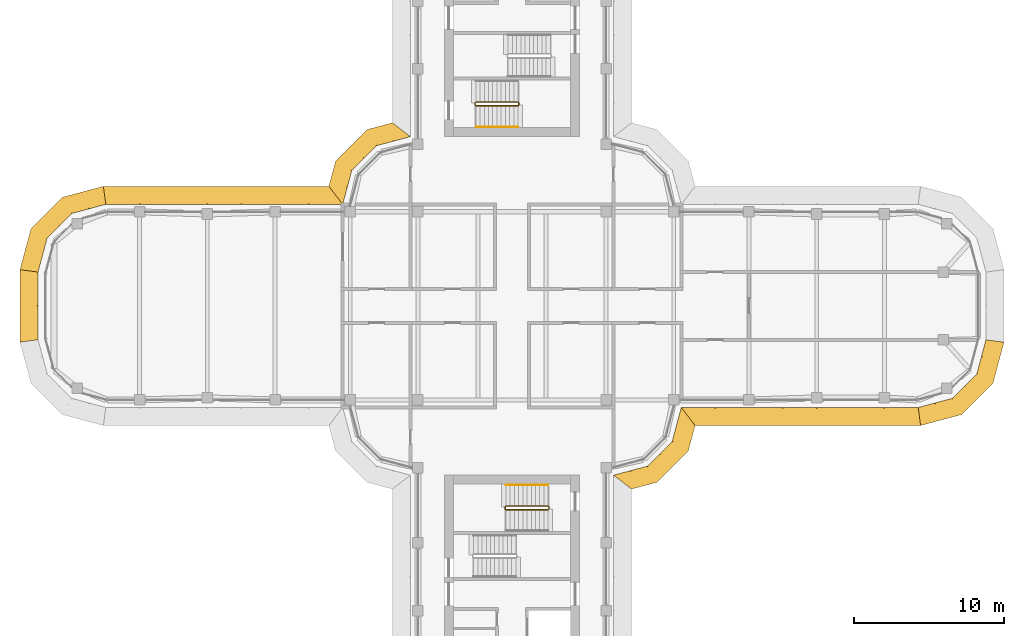
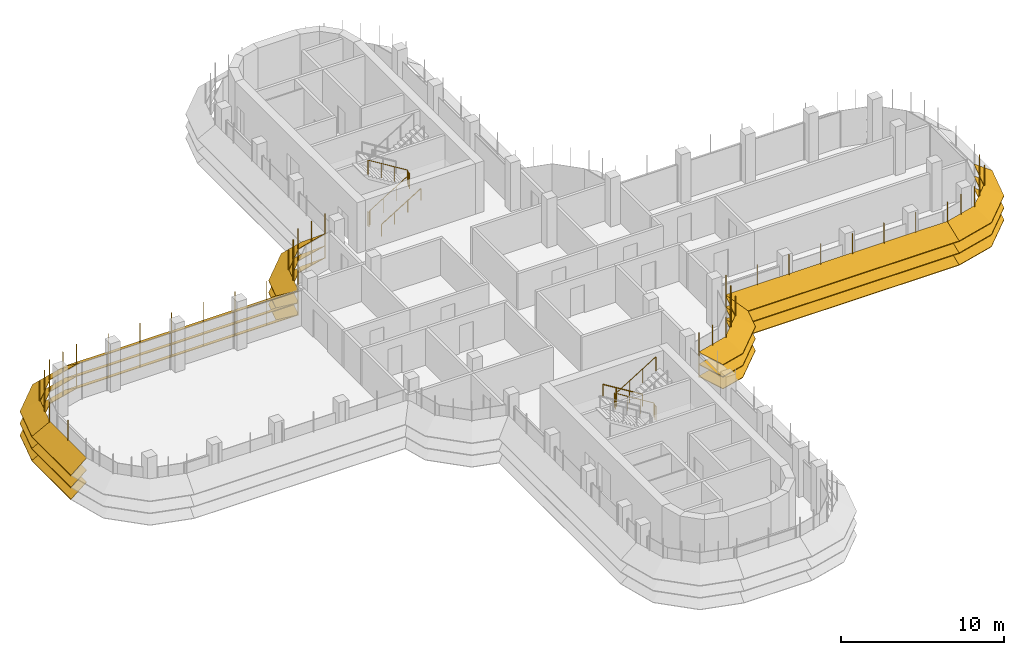
# One storey, part 17 of 19: 7 shading devices, 4 railings.
"""IFC4 building model written with IfcOpenShell, lengths in metres."""

from ifc_helpers import new_model, si_unit, direction, frame, origin, origin_2d, place, context, subcontext, project, spatial, polyline, circle, outline, extrude, faceted_brep, source, transform, mapped, material, type_object, element, save


model = new_model("IFC4")

# Units and contexts
model_context = context("Model", 3, precision=1e-05, world=origin(), true_north=direction((0.0, 1.0)))
body_context = subcontext(model_context, "Body", "Model", "MODEL_VIEW")
ifc_project = project(units=[si_unit("LENGTHUNIT", "METRE"), si_unit("AREAUNIT", "SQUARE_METRE"), si_unit("VOLUMEUNIT", "CUBIC_METRE"), si_unit("PLANEANGLEUNIT", "RADIAN"), si_unit("MASSUNIT", "GRAM", prefix="KILO")], contexts=[model_context])

# Site, building, storey
site_placement = place(None, origin())
site = spatial("IfcSite", under=ifc_project, at=site_placement, CompositionType="ELEMENT")
building_placement = place(site_placement, origin())
building = spatial("IfcBuilding", under=site, at=building_placement, Name="Zarbagh Exchange Tower", CompositionType="ELEMENT")
storey_placement = place(building_placement, frame((0.0, 0.0, 241.0)))
storey = spatial("IfcBuildingStorey", under=building, at=storey_placement, Name="L59", CompositionType="ELEMENT", Elevation=241.0)

# Railings
ifc_material_1 = material(Name="Stainless steel", Category="steel")
railing_type_1 = type_object("IfcRailingType", Name="Stair guard 1100 mm", PredefinedType="GUARDRAIL", material=ifc_material_1)
railing_1_placement = place(storey_placement, frame((-2.449951171875, 13.5, 0.0)))
element("IfcRailing", 1, at=railing_1_placement, inside=storey, type_object=railing_type_1, Name="ST2 stair guard 1", PredefinedType="GUARDRAIL", context=body_context, shape_type="SweptSolid", body=[
    extrude(circle(Radius=0.02392578125, at=origin_2d()), frame((0.0, 0.0, 1.076171875), z_axis=(0.0, -1.0, 0.0), x_axis=(1.0, 0.0, 0.0)), (0.0, 0.0, 1.0), 0.14990234375),
    extrude(circle(Radius=0.02392578125, at=origin_2d()), frame((0.0, -0.14990234375, 1.076171875), z_axis=(0.268277960024, -0.268277960024, 0.925231793839), x_axis=(0.707106781187, 0.707106781187, 0.0)), (0.0, 0.0, 1.0), 0.1865234375),
    extrude(circle(Radius=0.02392578125, at=origin_2d()), frame((0.050048828125, -0.199951171875, 1.24853515625), z_axis=(0.851069175582, 0.0, 0.525053576669), x_axis=(0.0, 1.0, 0.0)), (0.0, 0.0, 1.0), 3.289794921875),
    extrude(circle(Radius=0.02392578125, at=origin_2d()), frame((2.849853515625, -0.199951171875, 2.97607421875), z_axis=(0.707106781187, 0.707106781187, 0.0), x_axis=(-0.707106781187, 0.707106781187, 0.0)), (0.0, 0.0, 1.0), 0.07080078125),
    extrude(circle(Radius=0.02392578125, at=origin_2d()), frame((2.89990234375, -0.14990234375, 2.97607421875), z_axis=(0.0, 1.0, 0.0), x_axis=(-1.0, 0.0, 0.0)), (0.0, 0.0, 1.0), 0.14990234375),
    extrude(circle(Radius=0.02392578125, at=origin_2d()), frame((2.89990234375, 0.0, 2.97607421875), z_axis=(-0.267953482034, 0.267953482034, 0.925419830635), x_axis=(-0.707106781187, -0.707106781187, 0.0)), (0.0, 0.0, 1.0), 0.186767578125),
    extrude(circle(Radius=0.02392578125, at=origin_2d()), frame((2.849853515625, 0.050048828125, 3.14892578125), z_axis=(-0.851069175582, 0.0, 0.525053576669), x_axis=(0.0, -1.0, 0.0)), (0.0, 0.0, 1.0), 3.289794921875),
    extrude(circle(Radius=0.02099609375, at=origin_2d()), origin(), (0.0, 0.0, 1.0), 1.052001953125),
    extrude(circle(Radius=0.02099609375, at=origin_2d()), frame((0.0, -0.14990234375, 0.0)), (0.0, 0.0, 1.0), 1.052001953125),
    extrude(circle(Radius=0.02099609375, at=origin_2d()), frame((0.050048828125, -0.199951171875, 0.172607421875)), (0.0, 0.0, 1.0), 1.052001953125),
    extrude(circle(Radius=0.02099609375, at=origin_2d()), frame((0.9833984375, -0.199951171875, 0.748291015625)), (0.0, 0.0, 1.0), 1.052001953125),
    extrude(circle(Radius=0.02099609375, at=origin_2d()), frame((1.91650390625, -0.199951171875, 1.32421875)), (0.0, 0.0, 1.0), 1.052001953125),
    extrude(circle(Radius=0.02099609375, at=origin_2d()), frame((2.849853515625, -0.199951171875, 1.89990234375)), (0.0, 0.0, 1.0), 1.052001953125),
    extrude(circle(Radius=0.02099609375, at=origin_2d()), frame((2.89990234375, -0.14990234375, 1.89990234375)), (0.0, 0.0, 1.0), 1.052001953125),
    extrude(circle(Radius=0.02099609375, at=origin_2d()), frame((2.89990234375, 0.0, 1.89990234375)), (0.0, 0.0, 1.0), 1.052001953125),
    extrude(circle(Radius=0.02099609375, at=origin_2d()), frame((2.849853515625, 0.050048828125, 2.07275390625)), (0.0, 0.0, 1.0), 1.052001953125),
    extrude(circle(Radius=0.02099609375, at=origin_2d()), frame((1.91650390625, 0.050048828125, 2.6484375)), (0.0, 0.0, 1.0), 1.052001953125),
    extrude(circle(Radius=0.02099609375, at=origin_2d()), frame((0.9833984375, 0.050048828125, 3.224365234375)), (0.0, 0.0, 1.0), 1.052001953125),
    extrude(circle(Radius=0.02099609375, at=origin_2d()), frame((0.050048828125, 0.050048828125, 3.800048828125)), (0.0, 0.0, 1.0), 1.052001953125),
])
railing_2_placement = place(storey_placement, frame((2.449951171875, -13.5, 0.0)))
element("IfcRailing", 2, at=railing_2_placement, inside=storey, type_object=railing_type_1, Name="ST4 stair guard 1", PredefinedType="GUARDRAIL", context=body_context, shape_type="SweptSolid", body=[
    extrude(circle(Radius=0.02392578125, at=origin_2d()), frame((0.0, 0.0, 1.076171875), z_axis=(0.0, 1.0, 0.0), x_axis=(-1.0, 0.0, 0.0)), (0.0, 0.0, 1.0), 0.14990234375),
    extrude(circle(Radius=0.02392578125, at=origin_2d()), frame((0.0, 0.14990234375, 1.076171875), z_axis=(-0.268277960024, 0.268277960024, 0.925231793839), x_axis=(-0.707106781187, -0.707106781187, 0.0)), (0.0, 0.0, 1.0), 0.1865234375),
    extrude(circle(Radius=0.02392578125, at=origin_2d()), frame((-0.050048828125, 0.199951171875, 1.24853515625), z_axis=(-0.851069175582, 0.0, 0.525053576669), x_axis=(0.0, -1.0, 0.0)), (0.0, 0.0, 1.0), 3.289794921875),
    extrude(circle(Radius=0.02392578125, at=origin_2d()), frame((-2.849853515625, 0.199951171875, 2.97607421875), z_axis=(-0.707106781187, -0.707106781187, 0.0), x_axis=(0.707106781187, -0.707106781187, 0.0)), (0.0, 0.0, 1.0), 0.07080078125),
    extrude(circle(Radius=0.02392578125, at=origin_2d()), frame((-2.89990234375, 0.14990234375, 2.97607421875), z_axis=(0.0, -1.0, 0.0), x_axis=(1.0, 0.0, 0.0)), (0.0, 0.0, 1.0), 0.14990234375),
    extrude(circle(Radius=0.02392578125, at=origin_2d()), frame((-2.89990234375, 0.0, 2.97607421875), z_axis=(0.267953482034, -0.267953482034, 0.925419830635), x_axis=(0.707106781187, 0.707106781187, 0.0)), (0.0, 0.0, 1.0), 0.186767578125),
    extrude(circle(Radius=0.02392578125, at=origin_2d()), frame((-2.849853515625, -0.050048828125, 3.14892578125), z_axis=(0.851069175582, 0.0, 0.525053576669), x_axis=(0.0, 1.0, 0.0)), (0.0, 0.0, 1.0), 3.289794921875),
    extrude(circle(Radius=0.02099609375, at=origin_2d()), origin(), (0.0, 0.0, 1.0), 1.052001953125),
    extrude(circle(Radius=0.02099609375, at=origin_2d()), frame((0.0, 0.14990234375, 0.0)), (0.0, 0.0, 1.0), 1.052001953125),
    extrude(circle(Radius=0.02099609375, at=origin_2d()), frame((-0.050048828125, 0.199951171875, 0.172607421875)), (0.0, 0.0, 1.0), 1.052001953125),
    extrude(circle(Radius=0.02099609375, at=origin_2d()), frame((-0.9833984375, 0.199951171875, 0.748291015625)), (0.0, 0.0, 1.0), 1.052001953125),
    extrude(circle(Radius=0.02099609375, at=origin_2d()), frame((-1.91650390625, 0.199951171875, 1.32421875)), (0.0, 0.0, 1.0), 1.052001953125),
    extrude(circle(Radius=0.02099609375, at=origin_2d()), frame((-2.849853515625, 0.199951171875, 1.89990234375)), (0.0, 0.0, 1.0), 1.052001953125),
    extrude(circle(Radius=0.02099609375, at=origin_2d()), frame((-2.89990234375, 0.14990234375, 1.89990234375)), (0.0, 0.0, 1.0), 1.052001953125),
    extrude(circle(Radius=0.02099609375, at=origin_2d()), frame((-2.89990234375, 0.0, 1.89990234375)), (0.0, 0.0, 1.0), 1.052001953125),
    extrude(circle(Radius=0.02099609375, at=origin_2d()), frame((-2.849853515625, -0.050048828125, 2.07275390625)), (0.0, 0.0, 1.0), 1.052001953125),
    extrude(circle(Radius=0.02099609375, at=origin_2d()), frame((-1.91650390625, -0.050048828125, 2.6484375)), (0.0, 0.0, 1.0), 1.052001953125),
    extrude(circle(Radius=0.02099609375, at=origin_2d()), frame((-0.9833984375, -0.050048828125, 3.224365234375)), (0.0, 0.0, 1.0), 1.052001953125),
    extrude(circle(Radius=0.02099609375, at=origin_2d()), frame((-0.050048828125, -0.050048828125, 3.800048828125)), (0.0, 0.0, 1.0), 1.052001953125),
])
railing_type_2 = type_object("IfcRailingType", Name="Stair handrail 900 mm", PredefinedType="HANDRAIL", material=ifc_material_1)
railing_3_placement = place(storey_placement, frame((-2.39990234375, 11.89990234375, 0.172607421875)))
element("IfcRailing", 3, at=railing_3_placement, inside=storey, type_object=railing_type_2, Name="ST2 stair handrail 1", PredefinedType="HANDRAIL", context=body_context, shape_type="SweptSolid", body=[
    extrude(circle(Radius=0.02392578125, at=origin_2d()), frame((0.0, 0.0, 0.8759765625), z_axis=(0.851069175582, 0.0, 0.525053576669), x_axis=(0.0, 1.0, 0.0)), (0.0, 0.0, 1.0), 3.289794921875),
    extrude(circle(Radius=0.02099609375, at=origin_2d()), origin(), (0.0, 0.0, 1.0), 0.851806640625),
    extrude(circle(Radius=0.02099609375, at=origin_2d()), frame((0.933349609375, 0.0, 0.57568359375)), (0.0, 0.0, 1.0), 0.851806640625),
    extrude(circle(Radius=0.02099609375, at=origin_2d()), frame((1.866455078125, 0.0, 1.151611328125)), (0.0, 0.0, 1.0), 0.851806640625),
    extrude(circle(Radius=0.02099609375, at=origin_2d()), frame((2.7998046875, 0.0, 1.727294921875)), (0.0, 0.0, 1.0), 0.851806640625),
])
railing_4_placement = place(storey_placement, frame((2.39990234375, -11.89990234375, 0.172607421875)))
element("IfcRailing", 4, at=railing_4_placement, inside=storey, type_object=railing_type_2, Name="ST4 stair handrail 1", PredefinedType="HANDRAIL", context=body_context, shape_type="SweptSolid", body=[
    extrude(circle(Radius=0.02392578125, at=origin_2d()), frame((0.0, 0.0, 0.8759765625), z_axis=(-0.851069175582, 0.0, 0.525053576669), x_axis=(0.0, -1.0, 0.0)), (0.0, 0.0, 1.0), 3.289794921875),
    extrude(circle(Radius=0.02099609375, at=origin_2d()), origin(), (0.0, 0.0, 1.0), 0.851806640625),
    extrude(circle(Radius=0.02099609375, at=origin_2d()), frame((-0.933349609375, 0.0, 0.57568359375)), (0.0, 0.0, 1.0), 0.851806640625),
    extrude(circle(Radius=0.02099609375, at=origin_2d()), frame((-1.866455078125, 0.0, 1.151611328125)), (0.0, 0.0, 1.0), 0.851806640625),
    extrude(circle(Radius=0.02099609375, at=origin_2d()), frame((-2.7998046875, 0.0, 1.727294921875)), (0.0, 0.0, 1.0), 0.851806640625),
])

# Shading devices
ifc_material_2 = material(Name="Anodised aluminium blades and brackets", Category="aluminium")
shading_device_type = type_object("IfcShadingDeviceType", Name="SUNSHADE louvre band, 33.75 degree blades", PredefinedType="JALOUSIE", material=ifc_material_2)
shared_shape_1 = source(origin(), body_context, "Body", "Brep", [
    faceted_brep([(0.0, 0.0, 0.0), (0.0, 0.0, -0.048095703125), (-0.157958984375, -1.199951171875, -0.849853515625), (-0.157958984375, -1.199951171875, -0.8017578125), (2.65087890625, -1.199951171875, -0.8017578125), (2.65087890625, -1.199951171875, -0.849853515625), (2.329345703125, 0.0, -0.048095703125), (2.329345703125, 0.0, 0.0)], [[[0, 1, 2, 3]], [[4, 5, 6, 7]], [[0, 7, 6, 1]], [[1, 6, 5, 2]], [[2, 5, 4, 3]], [[3, 4, 7, 0]]]),
])
shared_shape_2 = source(origin(), body_context, "Body", "Brep", [
    faceted_brep([(0.0, 0.0, 0.0), (0.0, 0.0, -0.048095703125), (-0.321533203125, -1.199951171875, -0.849853515625), (-0.321533203125, -1.199951171875, -0.8017578125), (2.65087890625, -1.199951171875, -0.8017578125), (2.65087890625, -1.199951171875, -0.849853515625), (2.329345703125, 0.0, -0.048095703125), (2.329345703125, 0.0, 0.0)], [[[0, 1, 2, 3]], [[4, 5, 6, 7]], [[0, 7, 6, 1]], [[1, 6, 5, 2]], [[2, 5, 4, 3]], [[3, 4, 7, 0]]]),
])
shared_shape_3 = source(origin(), body_context, "Body", "Brep", [
    faceted_brep([(0.0, 0.0, 0.0), (0.0, 0.0, -0.048095703125), (-0.321533203125, -1.199951171875, -0.849853515625), (-0.321533203125, -1.199951171875, -0.8017578125), (2.4873046875, -1.199951171875, -0.8017578125), (2.4873046875, -1.199951171875, -0.849853515625), (2.329345703125, 0.0, -0.048095703125), (2.329345703125, 0.0, 0.0)], [[[0, 1, 2, 3]], [[4, 5, 6, 7]], [[0, 7, 6, 1]], [[1, 6, 5, 2]], [[2, 5, 4, 3]], [[3, 4, 7, 0]]]),
])
shared_shape_4 = source(origin(), body_context, "Body", "SweptSolid", [
    extrude(outline(polyline([(0.0, -0.012451171875), (0.06005859375, -0.012451171875), (0.06005859375, 0.012451171875), (0.0, 0.012451171875), (0.0, -0.012451171875)])), origin(), (0.0, 0.0, 1.0), 3.358154296875),
])
placement = place(storey_placement, origin())
element("IfcShadingDevice", 5, at=placement, inside=storey, type_object=shading_device_type, Name="SS31 sunshade band", PredefinedType="JALOUSIE", context=body_context, shape_type="MappedRepresentation", body=[
    mapped(shared_shape_1, transform((27.0, -6.75, 2.300048828125), x_axis=(0.965924289636, 0.258824779902, 0.0), y_axis=(-0.258824779902, 0.965924289636, 0.0), z_axis=(0.0, 0.0, 1.0))),
    mapped(shared_shape_1, transform((27.0, -6.75, 1.39990234375), x_axis=(0.965924289636, 0.258824779902, 0.0), y_axis=(-0.258824779902, 0.965924289636, 0.0), z_axis=(0.0, 0.0, 1.0))),
    mapped(shared_shape_1, transform((27.0, -6.75, 0.5), x_axis=(0.965924289636, 0.258824779902, 0.0), y_axis=(-0.258824779902, 0.965924289636, 0.0), z_axis=(0.0, 0.0, 1.0))),
    mapped(shared_shape_2, transform((29.25, -6.147216796875, 2.300048828125), x_axis=(0.707106781187, 0.707106781187, 0.0), y_axis=(-0.707106781187, 0.707106781187, 0.0), z_axis=(0.0, 0.0, 1.0))),
    mapped(shared_shape_2, transform((29.25, -6.147216796875, 1.39990234375), x_axis=(0.707106781187, 0.707106781187, 0.0), y_axis=(-0.707106781187, 0.707106781187, 0.0), z_axis=(0.0, 0.0, 1.0))),
    mapped(shared_shape_2, transform((29.25, -6.147216796875, 0.5), x_axis=(0.707106781187, 0.707106781187, 0.0), y_axis=(-0.707106781187, 0.707106781187, 0.0), z_axis=(0.0, 0.0, 1.0))),
    mapped(shared_shape_3, transform((30.897216796875, -4.5, 2.300048828125), x_axis=(0.258824779902, 0.965924289636, 0.0), y_axis=(-0.965924289636, 0.258824779902, 0.0), z_axis=(0.0, 0.0, 1.0))),
    mapped(shared_shape_3, transform((30.897216796875, -4.5, 1.39990234375), x_axis=(0.258824779902, 0.965924289636, 0.0), y_axis=(-0.965924289636, 0.258824779902, 0.0), z_axis=(0.0, 0.0, 1.0))),
    mapped(shared_shape_3, transform((30.897216796875, -4.5, 0.5), x_axis=(0.258824779902, 0.965924289636, 0.0), y_axis=(-0.965924289636, 0.258824779902, 0.0), z_axis=(0.0, 0.0, 1.0))),
    mapped(shared_shape_4, transform((27.0, -6.75, 0.421875), x_axis=(0.130529263012, -0.991444457092, 0.0), y_axis=(0.991444457092, 0.130529263012, 0.0), z_axis=(0.0, 0.0, 1.0))),
    mapped(shared_shape_4, transform((28.125, -6.448486328125, 0.421875), x_axis=(0.258825058029, -0.96592421511, 0.0), y_axis=(0.96592421511, 0.258825058029, 0.0), z_axis=(0.0, 0.0, 1.0))),
    mapped(shared_shape_4, transform((29.25, -6.147216796875, 0.421875), x_axis=(0.50000275701, -0.866023812018, 0.0), y_axis=(0.866023812018, 0.50000275701, 0.0), z_axis=(0.0, 0.0, 1.0))),
    mapped(shared_shape_4, transform((30.073486328125, -5.323486328125, 0.421875), x_axis=(0.707106781187, -0.707106781187, 0.0), y_axis=(0.707106781187, 0.707106781187, 0.0), z_axis=(0.0, 0.0, 1.0))),
    mapped(shared_shape_4, transform((30.897216796875, -4.5, 0.421875), x_axis=(0.866023812018, -0.50000275701, 0.0), y_axis=(0.50000275701, 0.866023812018, 0.0), z_axis=(0.0, 0.0, 1.0))),
    mapped(shared_shape_4, transform((31.198486328125, -3.375, 0.421875), x_axis=(0.96592421511, -0.258825058029, 0.0), y_axis=(0.258825058029, 0.96592421511, 0.0), z_axis=(0.0, 0.0, 1.0))),
])
element("IfcShadingDevice", 6, at=placement, inside=storey, type_object=shading_device_type, Name="SS41 sunshade band", PredefinedType="JALOUSIE", context=body_context, shape_type="MappedRepresentation", body=[
    mapped(shared_shape_1, transform((-27.0, 6.75, 2.300048828125), x_axis=(-0.965924289636, -0.258824779902, 0.0), y_axis=(0.258824779902, -0.965924289636, 0.0), z_axis=(0.0, 0.0, 1.0))),
    mapped(shared_shape_1, transform((-27.0, 6.75, 1.39990234375), x_axis=(-0.965924289636, -0.258824779902, 0.0), y_axis=(0.258824779902, -0.965924289636, 0.0), z_axis=(0.0, 0.0, 1.0))),
    mapped(shared_shape_1, transform((-27.0, 6.75, 0.5), x_axis=(-0.965924289636, -0.258824779902, 0.0), y_axis=(0.258824779902, -0.965924289636, 0.0), z_axis=(0.0, 0.0, 1.0))),
    mapped(shared_shape_2, transform((-29.25, 6.147216796875, 2.300048828125), x_axis=(-0.707106781187, -0.707106781187, 0.0), y_axis=(0.707106781187, -0.707106781187, 0.0), z_axis=(0.0, 0.0, 1.0))),
    mapped(shared_shape_2, transform((-29.25, 6.147216796875, 1.39990234375), x_axis=(-0.707106781187, -0.707106781187, 0.0), y_axis=(0.707106781187, -0.707106781187, 0.0), z_axis=(0.0, 0.0, 1.0))),
    mapped(shared_shape_2, transform((-29.25, 6.147216796875, 0.5), x_axis=(-0.707106781187, -0.707106781187, 0.0), y_axis=(0.707106781187, -0.707106781187, 0.0), z_axis=(0.0, 0.0, 1.0))),
    mapped(shared_shape_3, transform((-30.897216796875, 4.5, 2.300048828125), x_axis=(-0.258824779902, -0.965924289636, 0.0), y_axis=(0.965924289636, -0.258824779902, 0.0), z_axis=(0.0, 0.0, 1.0))),
    mapped(shared_shape_3, transform((-30.897216796875, 4.5, 1.39990234375), x_axis=(-0.258824779902, -0.965924289636, 0.0), y_axis=(0.965924289636, -0.258824779902, 0.0), z_axis=(0.0, 0.0, 1.0))),
    mapped(shared_shape_3, transform((-30.897216796875, 4.5, 0.5), x_axis=(-0.258824779902, -0.965924289636, 0.0), y_axis=(0.965924289636, -0.258824779902, 0.0), z_axis=(0.0, 0.0, 1.0))),
    mapped(shared_shape_4, transform((-27.0, 6.75, 0.421875), x_axis=(-0.130529263012, 0.991444457092, 0.0), y_axis=(-0.991444457092, -0.130529263012, 0.0), z_axis=(0.0, 0.0, 1.0))),
    mapped(shared_shape_4, transform((-28.125, 6.448486328125, 0.421875), x_axis=(-0.258825058029, 0.96592421511, 0.0), y_axis=(-0.96592421511, -0.258825058029, 0.0), z_axis=(0.0, 0.0, 1.0))),
    mapped(shared_shape_4, transform((-29.25, 6.147216796875, 0.421875), x_axis=(-0.50000275701, 0.866023812018, 0.0), y_axis=(-0.866023812018, -0.50000275701, 0.0), z_axis=(0.0, 0.0, 1.0))),
    mapped(shared_shape_4, transform((-30.073486328125, 5.323486328125, 0.421875), x_axis=(-0.707106781187, 0.707106781187, 0.0), y_axis=(-0.707106781187, -0.707106781187, 0.0), z_axis=(0.0, 0.0, 1.0))),
    mapped(shared_shape_4, transform((-30.897216796875, 4.5, 0.421875), x_axis=(-0.866023812018, 0.50000275701, 0.0), y_axis=(-0.50000275701, -0.866023812018, 0.0), z_axis=(0.0, 0.0, 1.0))),
    mapped(shared_shape_4, transform((-31.198486328125, 3.375, 0.421875), x_axis=(-0.96592421511, 0.258825058029, 0.0), y_axis=(-0.258825058029, -0.96592421511, 0.0), z_axis=(0.0, 0.0, 1.0))),
])
shared_shape_5 = source(origin(), body_context, "Body", "Brep", [
    faceted_brep([(0.0, 0.0, 0.0), (0.0, 0.0, -0.048095703125), (0.9208984375, -1.199951171875, -0.849853515625), (0.9208984375, -1.199951171875, -0.8017578125), (2.65087890625, -1.199951171875, -0.8017578125), (2.65087890625, -1.199951171875, -0.849853515625), (2.329345703125, 0.0, -0.048095703125), (2.329345703125, 0.0, 0.0)], [[[0, 1, 2, 3]], [[4, 5, 6, 7]], [[0, 7, 6, 1]], [[1, 6, 5, 2]], [[2, 5, 4, 3]], [[3, 4, 7, 0]]]),
])
shared_shape_6 = source(origin(), body_context, "Body", "Brep", [
    faceted_brep([(0.0, 0.0, 0.0), (0.0, 0.0, -0.048095703125), (-0.321533203125, -1.199951171875, -0.849853515625), (-0.321533203125, -1.199951171875, -0.8017578125), (1.40869140625, -1.199951171875, -0.8017578125), (1.40869140625, -1.199951171875, -0.849853515625), (2.329345703125, 0.0, -0.048095703125), (2.329345703125, 0.0, 0.0)], [[[0, 1, 2, 3]], [[4, 5, 6, 7]], [[0, 7, 6, 1]], [[1, 6, 5, 2]], [[2, 5, 4, 3]], [[3, 4, 7, 0]]]),
])
element("IfcShadingDevice", 7, at=placement, inside=storey, type_object=shading_device_type, Name="SS03 sunshade band", PredefinedType="JALOUSIE", context=body_context, shape_type="MappedRepresentation", body=[
    mapped(shared_shape_5, transform((6.75, -11.25, 2.300048828125), x_axis=(0.965924289636, 0.258824779902, 0.0), y_axis=(-0.258824779902, 0.965924289636, 0.0), z_axis=(0.0, 0.0, 1.0))),
    mapped(shared_shape_5, transform((6.75, -11.25, 1.39990234375), x_axis=(0.965924289636, 0.258824779902, 0.0), y_axis=(-0.258824779902, 0.965924289636, 0.0), z_axis=(0.0, 0.0, 1.0))),
    mapped(shared_shape_5, transform((6.75, -11.25, 0.5), x_axis=(0.965924289636, 0.258824779902, 0.0), y_axis=(-0.258824779902, 0.965924289636, 0.0), z_axis=(0.0, 0.0, 1.0))),
    mapped(shared_shape_2, transform((9.0, -10.647216796875, 2.300048828125), x_axis=(0.707106781187, 0.707106781187, 0.0), y_axis=(-0.707106781187, 0.707106781187, 0.0), z_axis=(0.0, 0.0, 1.0))),
    mapped(shared_shape_2, transform((9.0, -10.647216796875, 1.39990234375), x_axis=(0.707106781187, 0.707106781187, 0.0), y_axis=(-0.707106781187, 0.707106781187, 0.0), z_axis=(0.0, 0.0, 1.0))),
    mapped(shared_shape_2, transform((9.0, -10.647216796875, 0.5), x_axis=(0.707106781187, 0.707106781187, 0.0), y_axis=(-0.707106781187, 0.707106781187, 0.0), z_axis=(0.0, 0.0, 1.0))),
    mapped(shared_shape_6, transform((10.647216796875, -9.0, 2.300048828125), x_axis=(0.258824779902, 0.965924289636, 0.0), y_axis=(-0.965924289636, 0.258824779902, 0.0), z_axis=(0.0, 0.0, 1.0))),
    mapped(shared_shape_6, transform((10.647216796875, -9.0, 1.39990234375), x_axis=(0.258824779902, 0.965924289636, 0.0), y_axis=(-0.965924289636, 0.258824779902, 0.0), z_axis=(0.0, 0.0, 1.0))),
    mapped(shared_shape_6, transform((10.647216796875, -9.0, 0.5), x_axis=(0.258824779902, 0.965924289636, 0.0), y_axis=(-0.965924289636, 0.258824779902, 0.0), z_axis=(0.0, 0.0, 1.0))),
    mapped(shared_shape_4, transform((6.75, -11.25, 0.421875), x_axis=(0.793355287, -0.608758892, 0.0), y_axis=(0.608758892, 0.793355287, 0.0), z_axis=(0.0, 0.0, 1.0))),
    mapped(shared_shape_4, transform((7.875, -10.948486328125, 0.421875), x_axis=(0.258825058029, -0.96592421511, 0.0), y_axis=(0.96592421511, 0.258825058029, 0.0), z_axis=(0.0, 0.0, 1.0))),
    mapped(shared_shape_4, transform((9.0, -10.647216796875, 0.421875), x_axis=(0.50000275701, -0.866023812018, 0.0), y_axis=(0.866023812018, 0.50000275701, 0.0), z_axis=(0.0, 0.0, 1.0))),
    mapped(shared_shape_4, transform((9.823486328125, -9.823486328125, 0.421875), x_axis=(0.707106781187, -0.707106781187, 0.0), y_axis=(0.707106781187, 0.707106781187, 0.0), z_axis=(0.0, 0.0, 1.0))),
    mapped(shared_shape_4, transform((10.647216796875, -9.0, 0.421875), x_axis=(0.866023812018, -0.50000275701, 0.0), y_axis=(0.50000275701, 0.866023812018, 0.0), z_axis=(0.0, 0.0, 1.0))),
    mapped(shared_shape_4, transform((10.948486328125, -7.875, 0.421875), x_axis=(0.96592421511, -0.258825058029, 0.0), y_axis=(0.258825058029, 0.96592421511, 0.0), z_axis=(0.0, 0.0, 1.0))),
])
element("IfcShadingDevice", 8, at=placement, inside=storey, type_object=shading_device_type, Name="SS15 sunshade band", PredefinedType="JALOUSIE", context=body_context, shape_type="MappedRepresentation", body=[
    mapped(shared_shape_5, transform((-6.75, 11.25, 2.300048828125), x_axis=(-0.965924289636, -0.258824779902, 0.0), y_axis=(0.258824779902, -0.965924289636, 0.0), z_axis=(0.0, 0.0, 1.0))),
    mapped(shared_shape_5, transform((-6.75, 11.25, 1.39990234375), x_axis=(-0.965924289636, -0.258824779902, 0.0), y_axis=(0.258824779902, -0.965924289636, 0.0), z_axis=(0.0, 0.0, 1.0))),
    mapped(shared_shape_5, transform((-6.75, 11.25, 0.5), x_axis=(-0.965924289636, -0.258824779902, 0.0), y_axis=(0.258824779902, -0.965924289636, 0.0), z_axis=(0.0, 0.0, 1.0))),
    mapped(shared_shape_2, transform((-9.0, 10.647216796875, 2.300048828125), x_axis=(-0.707106781187, -0.707106781187, 0.0), y_axis=(0.707106781187, -0.707106781187, 0.0), z_axis=(0.0, 0.0, 1.0))),
    mapped(shared_shape_2, transform((-9.0, 10.647216796875, 1.39990234375), x_axis=(-0.707106781187, -0.707106781187, 0.0), y_axis=(0.707106781187, -0.707106781187, 0.0), z_axis=(0.0, 0.0, 1.0))),
    mapped(shared_shape_2, transform((-9.0, 10.647216796875, 0.5), x_axis=(-0.707106781187, -0.707106781187, 0.0), y_axis=(0.707106781187, -0.707106781187, 0.0), z_axis=(0.0, 0.0, 1.0))),
    mapped(shared_shape_6, transform((-10.647216796875, 9.0, 2.300048828125), x_axis=(-0.258824779902, -0.965924289636, 0.0), y_axis=(0.965924289636, -0.258824779902, 0.0), z_axis=(0.0, 0.0, 1.0))),
    mapped(shared_shape_6, transform((-10.647216796875, 9.0, 1.39990234375), x_axis=(-0.258824779902, -0.965924289636, 0.0), y_axis=(0.965924289636, -0.258824779902, 0.0), z_axis=(0.0, 0.0, 1.0))),
    mapped(shared_shape_6, transform((-10.647216796875, 9.0, 0.5), x_axis=(-0.258824779902, -0.965924289636, 0.0), y_axis=(0.965924289636, -0.258824779902, 0.0), z_axis=(0.0, 0.0, 1.0))),
    mapped(shared_shape_4, transform((-6.75, 11.25, 0.421875), x_axis=(-0.793355287, 0.608758892, 0.0), y_axis=(-0.608758892, -0.793355287, 0.0), z_axis=(0.0, 0.0, 1.0))),
    mapped(shared_shape_4, transform((-7.875, 10.948486328125, 0.421875), x_axis=(-0.258825058029, 0.96592421511, 0.0), y_axis=(-0.96592421511, -0.258825058029, 0.0), z_axis=(0.0, 0.0, 1.0))),
    mapped(shared_shape_4, transform((-9.0, 10.647216796875, 0.421875), x_axis=(-0.50000275701, 0.866023812018, 0.0), y_axis=(-0.866023812018, -0.50000275701, 0.0), z_axis=(0.0, 0.0, 1.0))),
    mapped(shared_shape_4, transform((-9.823486328125, 9.823486328125, 0.421875), x_axis=(-0.707106781187, 0.707106781187, 0.0), y_axis=(-0.707106781187, -0.707106781187, 0.0), z_axis=(0.0, 0.0, 1.0))),
    mapped(shared_shape_4, transform((-10.647216796875, 9.0, 0.421875), x_axis=(-0.866023812018, 0.50000275701, 0.0), y_axis=(-0.50000275701, -0.866023812018, 0.0), z_axis=(0.0, 0.0, 1.0))),
    mapped(shared_shape_4, transform((-10.948486328125, 7.875, 0.421875), x_axis=(-0.96592421511, 0.258825058029, 0.0), y_axis=(-0.258825058029, -0.96592421511, 0.0), z_axis=(0.0, 0.0, 1.0))),
])
shared_shape_7 = source(origin(), body_context, "Body", "Brep", [
    faceted_brep([(0.0, 0.0, 0.0), (0.0, 0.0, -0.048095703125), (0.9208984375, -1.199951171875, -0.849853515625), (0.9208984375, -1.199951171875, -0.8017578125), (15.907958984375, -1.199951171875, -0.8017578125), (15.907958984375, -1.199951171875, -0.849853515625), (15.75, 0.0, -0.048095703125), (15.75, 0.0, 0.0)], [[[0, 1, 2, 3]], [[4, 5, 6, 7]], [[0, 7, 6, 1]], [[1, 6, 5, 2]], [[2, 5, 4, 3]], [[3, 4, 7, 0]]]),
])
element("IfcShadingDevice", 9, at=placement, inside=storey, type_object=shading_device_type, Name="SS30 sunshade band", PredefinedType="JALOUSIE", context=body_context, shape_type="MappedRepresentation", body=[
    mapped(shared_shape_7, transform((11.25, -6.75, 2.300048828125), x_axis=(1.0, 0.0, 0.0), y_axis=(0.0, 1.0, 0.0), z_axis=(0.0, 0.0, 1.0))),
    mapped(shared_shape_7, transform((11.25, -6.75, 1.39990234375), x_axis=(1.0, 0.0, 0.0), y_axis=(0.0, 1.0, 0.0), z_axis=(0.0, 0.0, 1.0))),
    mapped(shared_shape_7, transform((11.25, -6.75, 0.5), x_axis=(1.0, 0.0, 0.0), y_axis=(0.0, 1.0, 0.0), z_axis=(0.0, 0.0, 1.0))),
    mapped(shared_shape_4, transform((11.25, -6.75, 0.421875), x_axis=(0.608758892, -0.793355287, 0.0), y_axis=(0.793355287, 0.608758892, 0.0), z_axis=(0.0, 0.0, 1.0))),
    mapped(shared_shape_4, transform((13.5, -6.75, 0.421875), x_axis=(0.0, -1.0, 0.0), y_axis=(1.0, 0.0, 0.0), z_axis=(0.0, 0.0, 1.0))),
    mapped(shared_shape_4, transform((15.75, -6.75, 0.421875), x_axis=(0.0, -1.0, 0.0), y_axis=(1.0, 0.0, 0.0), z_axis=(0.0, 0.0, 1.0))),
    mapped(shared_shape_4, transform((18.0, -6.75, 0.421875), x_axis=(0.0, -1.0, 0.0), y_axis=(1.0, 0.0, 0.0), z_axis=(0.0, 0.0, 1.0))),
    mapped(shared_shape_4, transform((20.25, -6.75, 0.421875), x_axis=(0.0, -1.0, 0.0), y_axis=(1.0, 0.0, 0.0), z_axis=(0.0, 0.0, 1.0))),
    mapped(shared_shape_4, transform((22.5, -6.75, 0.421875), x_axis=(0.0, -1.0, 0.0), y_axis=(1.0, 0.0, 0.0), z_axis=(0.0, 0.0, 1.0))),
    mapped(shared_shape_4, transform((24.75, -6.75, 0.421875), x_axis=(0.0, -1.0, 0.0), y_axis=(1.0, 0.0, 0.0), z_axis=(0.0, 0.0, 1.0))),
])
element("IfcShadingDevice", 10, at=placement, inside=storey, type_object=shading_device_type, Name="SS40 sunshade band", PredefinedType="JALOUSIE", context=body_context, shape_type="MappedRepresentation", body=[
    mapped(shared_shape_7, transform((-11.25, 6.75, 2.300048828125), x_axis=(-1.0, 0.0, 0.0), y_axis=(0.0, -1.0, 0.0), z_axis=(0.0, 0.0, 1.0))),
    mapped(shared_shape_7, transform((-11.25, 6.75, 1.39990234375), x_axis=(-1.0, 0.0, 0.0), y_axis=(0.0, -1.0, 0.0), z_axis=(0.0, 0.0, 1.0))),
    mapped(shared_shape_7, transform((-11.25, 6.75, 0.5), x_axis=(-1.0, 0.0, 0.0), y_axis=(0.0, -1.0, 0.0), z_axis=(0.0, 0.0, 1.0))),
    mapped(shared_shape_4, transform((-11.25, 6.75, 0.421875), x_axis=(-0.608758892, 0.793355287, 0.0), y_axis=(-0.793355287, -0.608758892, 0.0), z_axis=(0.0, 0.0, 1.0))),
    mapped(shared_shape_4, transform((-13.5, 6.75, 0.421875), x_axis=(0.0, 1.0, 0.0), y_axis=(-1.0, 0.0, 0.0), z_axis=(0.0, 0.0, 1.0))),
    mapped(shared_shape_4, transform((-15.75, 6.75, 0.421875), x_axis=(0.0, 1.0, 0.0), y_axis=(-1.0, 0.0, 0.0), z_axis=(0.0, 0.0, 1.0))),
    mapped(shared_shape_4, transform((-18.0, 6.75, 0.421875), x_axis=(0.0, 1.0, 0.0), y_axis=(-1.0, 0.0, 0.0), z_axis=(0.0, 0.0, 1.0))),
    mapped(shared_shape_4, transform((-20.25, 6.75, 0.421875), x_axis=(0.0, 1.0, 0.0), y_axis=(-1.0, 0.0, 0.0), z_axis=(0.0, 0.0, 1.0))),
    mapped(shared_shape_4, transform((-22.5, 6.75, 0.421875), x_axis=(0.0, 1.0, 0.0), y_axis=(-1.0, 0.0, 0.0), z_axis=(0.0, 0.0, 1.0))),
    mapped(shared_shape_4, transform((-24.75, 6.75, 0.421875), x_axis=(0.0, 1.0, 0.0), y_axis=(-1.0, 0.0, 0.0), z_axis=(0.0, 0.0, 1.0))),
])
shared_shape_8 = source(origin(), body_context, "Body", "Brep", [
    faceted_brep([(0.0, 0.0, 0.0), (0.0, 0.0, -0.048095703125), (-0.157958984375, -1.199951171875, -0.849853515625), (-0.157958984375, -1.199951171875, -0.8017578125), (4.657958984375, -1.199951171875, -0.8017578125), (4.657958984375, -1.199951171875, -0.849853515625), (4.5, 0.0, -0.048095703125), (4.5, 0.0, 0.0)], [[[0, 1, 2, 3]], [[4, 5, 6, 7]], [[0, 7, 6, 1]], [[1, 6, 5, 2]], [[2, 5, 4, 3]], [[3, 4, 7, 0]]]),
])
element("IfcShadingDevice", 11, at=placement, inside=storey, type_object=shading_device_type, Name="SS42 sunshade band", PredefinedType="JALOUSIE", context=body_context, shape_type="MappedRepresentation", body=[
    mapped(shared_shape_8, transform((-31.5, 2.25, 2.300048828125), x_axis=(0.0, -1.0, 0.0), y_axis=(1.0, 0.0, 0.0), z_axis=(0.0, 0.0, 1.0))),
    mapped(shared_shape_8, transform((-31.5, 2.25, 1.39990234375), x_axis=(0.0, -1.0, 0.0), y_axis=(1.0, 0.0, 0.0), z_axis=(0.0, 0.0, 1.0))),
    mapped(shared_shape_8, transform((-31.5, 2.25, 0.5), x_axis=(0.0, -1.0, 0.0), y_axis=(1.0, 0.0, 0.0), z_axis=(0.0, 0.0, 1.0))),
    mapped(shared_shape_4, transform((-31.5, 2.25, 0.421875), x_axis=(-0.991444457092, 0.130529263012, 0.0), y_axis=(-0.130529263012, -0.991444457092, 0.0), z_axis=(0.0, 0.0, 1.0))),
    mapped(shared_shape_4, transform((-31.5, 0.0, 0.421875), x_axis=(-1.0, 0.0, 0.0), y_axis=(0.0, -1.0, 0.0), z_axis=(0.0, 0.0, 1.0))),
])

save(model, "model.ifc")
